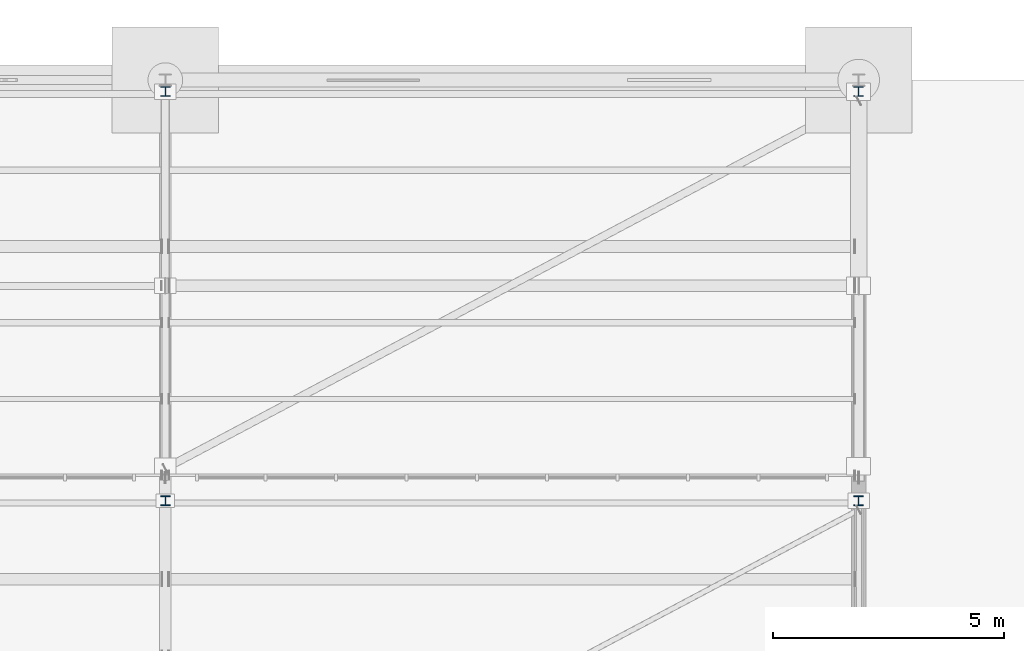
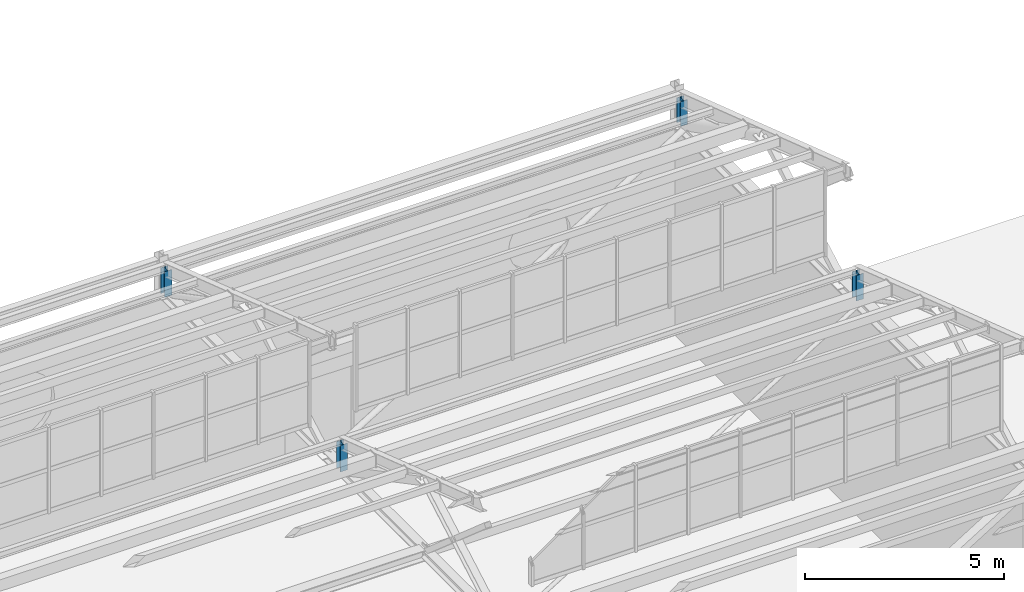
# One storey, part 158 of 285: 4 members.
"""IFC4 building model written with IfcOpenShell, lengths in metres."""

import ifcopenshell
import ifcopenshell.guid

model = None  # the IFC model being written
_history = None  # IfcOwnerHistory: only IFC2X3 demands one
_inside = {}  # id of a spatial element -> (the spatial element, [elements in it])
_under = {}  # id of a project, library or spatial element -> (it, [spatial elements below it])
_declared = {}  # id of a project -> (the project, [libraries it declares])
_typed = {}  # id of a type object -> (the type object, [elements of that type])
_made_of = {}  # id of a material, layer set ... -> (it, [elements and type objects made of it])


def new_model(schema):
    """Start an empty IFC model of exactly this schema.

    Asked for "IFC4X3", IfcOpenShell would pick the latest addendum, in which some entities
    have other attributes; the version numbers below select the first issue.
    IFC2X3 requires an IfcOwnerHistory on every rooted entity: one is made here for all.
    """
    global model, _history
    if schema == "IFC4X3":
        model = ifcopenshell.file(schema_version=(4, 3, 0, 0))
    else:
        model = ifcopenshell.file(schema=schema)
    _inside.clear()
    _under.clear()
    _declared.clear()
    _typed.clear()
    _made_of.clear()
    _history = None
    if model.schema == "IFC2X3":
        org = make("IfcOrganization", Name="unknown")
        user = make(
            "IfcPersonAndOrganization",
            ThePerson=make("IfcPerson", FamilyName="unknown"),
            TheOrganization=org,
        )
        app = make(
            "IfcApplication",
            ApplicationDeveloper=org,
            Version="unknown",
            ApplicationFullName="unknown",
            ApplicationIdentifier="unknown",
        )
        _history = make(
            "IfcOwnerHistory",
            OwningUser=user,
            OwningApplication=app,
            ChangeAction="ADDED",
            CreationDate=0,
        )
    return model


def make(cls, **values):
    """One entity of the class cls with the attributes given. An attribute that is None is left unset."""
    return model.create_entity(
        cls, **{name: value for name, value in values.items() if value is not None}
    )


def rooted(cls, **values):
    """An entity with a GlobalId (a new one), such as an element, a storey or a relation."""
    return make(cls, GlobalId=ifcopenshell.guid.new(), OwnerHistory=_history, **values)


def si_unit(unit_type, name, prefix=None):
    """IfcSIUnit, for example si_unit("LENGTHUNIT", "METRE", prefix="MILLI")."""
    return make("IfcSIUnit", UnitType=unit_type, Prefix=prefix, Name=name)


def assignment(units):
    """IfcUnitAssignment: the units of a project."""
    return None if units is None else make("IfcUnitAssignment", Units=units)


def point(xyz):
    """IfcCartesianPoint."""
    return None if xyz is None else make("IfcCartesianPoint", Coordinates=xyz)


def direction(xyz):
    """IfcDirection."""
    return None if xyz is None else make("IfcDirection", DirectionRatios=xyz)


def frame(location, z_axis=None, x_axis=None):
    """IfcAxis2Placement3D, a coordinate frame: its origin and axes. An axis left out is left unset."""
    return make(
        "IfcAxis2Placement3D",
        Location=point(location),
        Axis=direction(z_axis),
        RefDirection=direction(x_axis),
    )


def frame_2d(location, x_axis=None):
    """IfcAxis2Placement2D, a coordinate frame in the plane: its origin and x axis."""
    return make(
        "IfcAxis2Placement2D", Location=point(location), RefDirection=direction(x_axis)
    )


def origin():
    """The frame at (0, 0, 0) with its axes left unset."""
    return frame((0.0, 0.0, 0.0))


def origin_2d():
    """The frame at (0, 0) in the plane with its x axis left unset."""
    return frame_2d((0.0, 0.0))


def place(relative_to, where):
    """IfcLocalPlacement: puts the frame where relative to a parent placement (None: the world)."""
    return make(
        "IfcLocalPlacement", PlacementRelTo=relative_to, RelativePlacement=where
    )


def context(
    kind, dimensions, precision=None, world=None, true_north=None, identifier=None
):
    """IfcGeometricRepresentationContext, for example the 3D "Model" context."""
    return make(
        "IfcGeometricRepresentationContext",
        ContextIdentifier=identifier,
        ContextType=kind,
        CoordinateSpaceDimension=dimensions,
        Precision=precision,
        WorldCoordinateSystem=world,
        TrueNorth=true_north,
    )


def subcontext(parent, identifier, kind, view, scale=None):
    """IfcGeometricRepresentationSubContext, for example "Body" below "Model"."""
    return make(
        "IfcGeometricRepresentationSubContext",
        ContextIdentifier=identifier,
        ContextType=kind,
        ParentContext=parent,
        TargetScale=scale,
        TargetView=view,
    )


def project(units=None, contexts=None):
    """IfcProject with its units and contexts."""
    return rooted(
        "IfcProject",
        Name="project",
        RepresentationContexts=contexts,
        UnitsInContext=assignment(units),
    )


def spatial(cls, under=None, at=None, **own):
    """A site, building, storey or space (cls), placed at a placement, below another one or the project."""
    s = rooted(cls, ObjectPlacement=at, **own)
    if under is not None:
        _under.setdefault(under.id(), (under, []))[1].append(s)
    return s


def profile(cls, at=None, kind="AREA", **sizes):
    """A parametric profile (cls). Its sizes go by their IFC names, for example OverallWidth=200.0."""
    return make(cls, ProfileType=kind, Position=at, **sizes)


def i_section(**sizes):
    """IfcIShapeProfileDef."""
    return profile("IfcIShapeProfileDef", **sizes)


def extrude(swept, where, along, depth):
    """IfcExtrudedAreaSolid: the profile swept, set in the frame where, extruded along a direction by depth."""
    return make(
        "IfcExtrudedAreaSolid",
        SweptArea=swept,
        Position=where,
        ExtrudedDirection=direction(along),
        Depth=depth,
    )


def shape(context_of_items, identifier, shape_type, items):
    """IfcShapeRepresentation: the items that make up one representation, for example the "Body"."""
    return make(
        "IfcShapeRepresentation",
        ContextOfItems=context_of_items,
        RepresentationIdentifier=identifier,
        RepresentationType=shape_type,
        Items=items,
    )


def material(Name=None, Category=None):
    """IfcMaterial."""
    return make("IfcMaterial", Name=Name, Category=Category)


def material_profile(
    of_material, cross_section, Name=None, Category=None, Priority=None
):
    """IfcMaterialProfile: a cross section and its material."""
    return make(
        "IfcMaterialProfile",
        Name=Name,
        Material=of_material,
        Profile=cross_section,
        Priority=Priority,
        Category=Category,
    )


def profile_set(profiles, Name=None, composite=None):
    """IfcMaterialProfileSet."""
    return make(
        "IfcMaterialProfileSet",
        Name=Name,
        MaterialProfiles=profiles,
        CompositeProfile=composite,
    )


def made_of(thing, what):
    """Note that an element or type object is made of a material, layer set ...; save() writes the relation."""
    if what is not None:
        _made_of.setdefault(what.id(), (what, []))[1].append(thing)
    return thing


def type_object(cls, material=None, **own):
    """A type object (cls), such as IfcWallType, which elements share."""
    return made_of(rooted(cls, **own), material)


def element(
    cls,
    number,
    at=None,
    inside=None,
    cuts=None,
    type_object=None,
    material=None,
    context=None,
    identifier="Body",
    shape_type=None,
    held_by="IfcProductDefinitionShape",
    body=None,
    shapes=None,
    **own,
):
    """One element of the class cls, such as IfcWall. Its Tag is "e" and its number.

    at: its placement. inside: the storey or other place that contains it. cuts: it is an
    opening in that element (IfcRelVoidsElement). A single representation is given by context,
    identifier, shape_type and body (its items); several are given by shapes. held_by: the class
    of the entity that holds the representations. save() writes the other relations.
    """
    e = rooted(cls, Tag="e%d" % number, ObjectPlacement=at, **own)
    if body is not None:
        shapes = [shape(context, identifier, shape_type, body)]
    if shapes is not None:
        e.Representation = make(held_by, Representations=shapes)
    if inside is not None:
        _inside.setdefault(inside.id(), (inside, []))[1].append(e)
    if cuts is not None:
        rooted(
            "IfcRelVoidsElement", RelatingBuildingElement=cuts, RelatedOpeningElement=e
        )
    if type_object is not None:
        _typed.setdefault(type_object.id(), (type_object, []))[1].append(e)
    return made_of(e, material)


def aggregate(whole, parts):
    """IfcRelAggregates: a whole, such as a stair, and the parts it consists of."""
    return rooted("IfcRelAggregates", RelatingObject=whole, RelatedObjects=parts)


def save(model, path):
    """Write the relations noted so far, then the file.

    IfcRelAggregates (storeys below a building ...), IfcRelContainedInSpatialStructure (elements
    in a storey), IfcRelDefinesByType, IfcRelAssociatesMaterial and IfcRelDeclares: one each for
    every whole, place, type object, material and project.
    """
    for whole, parts in _under.values():
        aggregate(whole, parts)
    for where, things in _inside.values():
        rooted(
            "IfcRelContainedInSpatialStructure",
            RelatedElements=things,
            RelatingStructure=where,
        )
    for kind, things in _typed.values():
        rooted("IfcRelDefinesByType", RelatedObjects=things, RelatingType=kind)
    for what, things in _made_of.values():
        rooted("IfcRelAssociatesMaterial", RelatedObjects=things, RelatingMaterial=what)
    for by, libraries in _declared.values():
        rooted("IfcRelDeclares", RelatingContext=by, RelatedDefinitions=libraries)
    model.write(path)


model = new_model("IFC4")

# Units and contexts
model_context = context("Model", 3, precision=1e-05, world=origin(), true_north=direction((0.0, 1.0)))
body_context = subcontext(model_context, "Body", "Model", "MODEL_VIEW")
ifc_project = project(units=[si_unit("LENGTHUNIT", "METRE"), si_unit("AREAUNIT", "SQUARE_METRE"), si_unit("VOLUMEUNIT", "CUBIC_METRE"), si_unit("PLANEANGLEUNIT", "RADIAN"), si_unit("MASSUNIT", "GRAM", prefix="KILO")], contexts=[model_context])

# Site, building, storey
site_placement = place(None, origin())
site = spatial("IfcSite", under=ifc_project, at=site_placement, CompositionType="ELEMENT")
building_placement = place(site_placement, origin())
building = spatial("IfcBuilding", under=site, at=building_placement, Name="Solanera Park Tramway Depot", CompositionType="ELEMENT")
storey_placement = place(building_placement, origin())
storey = spatial("IfcBuildingStorey", under=building, at=storey_placement, Name="L00", CompositionType="ELEMENT", Elevation=0.0)

# Members
ifc_material = material(Name="Steel AS/NZS 3679.1 Grade 350", Category="steel")
ifc_material_profile = material_profile(ifc_material, i_section(OverallWidth=0.205078125, OverallDepth=0.209716796875, WebThickness=0.00927734375, FlangeThickness=0.01416015625, at=origin_2d()), Name="200UC59.5")
ifc_profile_set = profile_set([ifc_material_profile], Name="Steel AS/NZS 3679.1 Grade 350")
member_type = type_object("IfcMemberType", Name="Roof Gantry Compression Strut 200UC59.5", PredefinedType="STRUT", material=ifc_profile_set)
member_1_placement = place(storey_placement, frame((45.0, 134.89990234375, 6.5), z_axis=(0.0, 0.0, 1.0), x_axis=(1.0, 0.0, 0.0)))
element("IfcMember", 1, at=member_1_placement, inside=storey, type_object=member_type, Name="Sawtooth ROOF TRUSS Valley Post 200UC59.5 #0087", PredefinedType="STRUT", context=body_context, shape_type="SweptSolid", body=[
    extrude(i_section(OverallWidth=0.205078125, OverallDepth=0.209716796875, WebThickness=0.00927734375, FlangeThickness=0.01416015625, at=origin_2d()), origin(), (0.0, 0.0, 1.0), 0.81298828125),
])
for number, where, z_axis, x_axis, name in (
    (2, (60.0, 134.89990234375, 6.5), (0.0, 0.0, 1.0), (1.0, 0.0, 0.0), "Sawtooth ROOF TRUSS Valley Post 200UC59.5 #0088"),
    (3, (45.0, 143.75, 6.5), (0.0, 0.0, 1.0), (1.0, 0.0, 0.0), "Sawtooth ROOF TRUSS Valley Post 200UC59.5 #0095"),
):
    element("IfcMember", number, at=place(storey_placement, frame(where, z_axis=z_axis, x_axis=x_axis)), inside=storey, type_object=member_type, Name=name, PredefinedType="STRUT", context=body_context, shape_type="SweptSolid", body=[
        extrude(i_section(OverallWidth=0.205078125, OverallDepth=0.209716796875, WebThickness=0.00927734375, FlangeThickness=0.01416015625, at=origin_2d()), origin(), (0.0, 0.0, 1.0), 0.78759765625),
    ])
member_2_placement = place(storey_placement, frame((60.0, 143.75, 6.5), z_axis=(0.0, 0.0, 1.0), x_axis=(1.0, 0.0, 0.0)))
element("IfcMember", 4, at=member_2_placement, inside=storey, type_object=member_type, Name="Sawtooth ROOF TRUSS Valley Post 200UC59.5 #0096", PredefinedType="STRUT", context=body_context, shape_type="SweptSolid", body=[
    extrude(i_section(OverallWidth=0.205078125, OverallDepth=0.209716796875, WebThickness=0.00927734375, FlangeThickness=0.01416015625, at=origin_2d()), origin(), (0.0, 0.0, 1.0), 0.76220703125),
])

save(model, "model.ifc")
